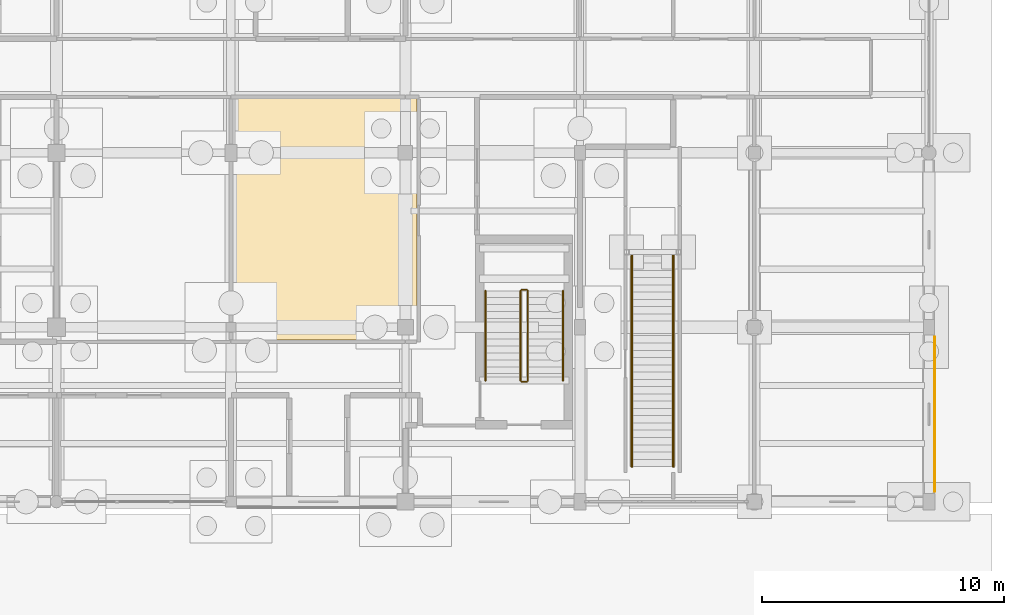
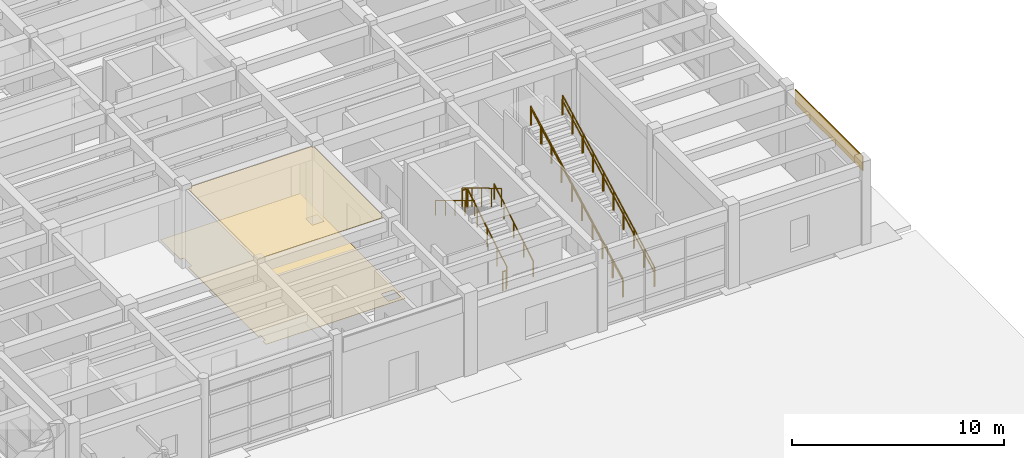
# One storey, part 141 of 143: 10 railings, 3 coverings.
"""IFC4 building model written with IfcOpenShell, lengths in metres."""

from ifc_helpers import new_model, si_unit, direction, frame, origin, origin_2d, place, context, subcontext, project, spatial, polyline, rectangle, circle, outline, extrude, material, layer, layer_set, type_object, element, save


model = new_model("IFC4")

# Units and contexts
model_context = context("Model", 3, precision=1e-05, world=origin(), true_north=direction((0.0, 1.0)))
body_context = subcontext(model_context, "Body", "Model", "MODEL_VIEW")
ifc_project = project(units=[si_unit("LENGTHUNIT", "METRE"), si_unit("AREAUNIT", "SQUARE_METRE"), si_unit("VOLUMEUNIT", "CUBIC_METRE"), si_unit("PLANEANGLEUNIT", "RADIAN"), si_unit("MASSUNIT", "GRAM", prefix="KILO")], contexts=[model_context])

# Site, building, storey
site_placement = place(None, origin())
site = spatial("IfcSite", under=ifc_project, at=site_placement, CompositionType="ELEMENT")
building_placement = place(site_placement, origin())
building = spatial("IfcBuilding", under=site, at=building_placement, Name="Steenspoor Specialist Clinic", CompositionType="ELEMENT")
storey_placement = place(building_placement, origin())
storey = spatial("IfcBuildingStorey", under=building, at=storey_placement, Name="L00", CompositionType="ELEMENT", Elevation=0.0)

# Coverings
ifc_material_1 = material(Name="Washable acoustic mineral ceiling board", Category="gypsum")
ifc_layer_1 = layer(ifc_material_1, 0.02490234375)
ifc_layer_set_1 = layer_set([ifc_layer_1], Name="Washable acoustic mineral ceiling board")
covering_type_1 = type_object("IfcCoveringType", Name="COV-CEIL-ACOUSTIC", PredefinedType="CEILING", material=ifc_layer_set_1)
covering_1_placement = place(storey_placement, frame((0.0, 0.0, 4.4951171875)))
element("IfcCovering", 1, at=covering_1_placement, inside=storey, type_object=covering_type_1, Name="Acoustic Clinical Ceiling 086", PredefinedType="CEILING", context=body_context, shape_type="SweptSolid", body=[
    extrude(outline(polyline([(132.465087890625, 79.18505859375), (132.6650390625, 79.18505859375), (132.6650390625, 79.304931640625), (139.284912109375, 79.304931640625), (139.284912109375, 79.235107421875), (139.35498046875, 79.235107421875), (139.35498046875, 72.68994140625), (139.260009765625, 72.68994140625), (139.260009765625, 72.544921875), (132.614990234375, 72.544921875), (132.614990234375, 72.56494140625), (132.465087890625, 72.56494140625), (132.465087890625, 79.18505859375)])), origin(), (0.0, 0.0, 1.0), 0.02490234375),
])
ifc_material_2 = material(Name="Glazed ceramic relief spandrel cladding", Category="masonry")
ifc_layer_2 = layer(ifc_material_2, 0.034912109375)
ifc_layer_set_2 = layer_set([ifc_layer_2], Name="Glazed ceramic relief spandrel cladding")
covering_type_2 = type_object("IfcCoveringType", Name="COV-CLAD-CERAMIC", PredefinedType="CLADDING", material=ifc_layer_set_2)
covering_2_placement = place(storey_placement, frame((161.449951171875, 68.762451171875, 3.68505859375), z_axis=(0.0, 0.0, 1.0), x_axis=(0.0, -1.0, 0.0)))
element("IfcCovering", 2, at=covering_2_placement, inside=storey, type_object=covering_type_2, Name="Spandrel Cladding 78", PredefinedType="CLADDING", context=body_context, shape_type="SweptSolid", body=[
    extrude(rectangle(XDim=6.405029296875, YDim=0.0400390625, at=origin_2d()), origin(), (0.0, 0.0, 1.0), 0.840087890625),
])
ifc_material_3 = material(Name="Seamless clinical vinyl and terrazzo flooring", Category="plastic")
ifc_layer_3 = layer(ifc_material_3, 0.02001953125)
ifc_layer_set_3 = layer_set([ifc_layer_3], Name="Seamless clinical vinyl and terrazzo flooring")
covering_type_3 = type_object("IfcCoveringType", Name="COV-FLOOR-VINYL", PredefinedType="FLOORING", material=ifc_layer_set_3)
covering_3_placement = place(storey_placement, origin())
element("IfcCovering", 3, at=covering_3_placement, inside=storey, type_object=covering_type_3, Name="Clinical Vinyl Flooring 122", PredefinedType="FLOORING", context=body_context, shape_type="SweptSolid", body=[
    extrude(outline(polyline([(132.465087890625, 71.81494140625), (132.465087890625, 72.135009765625), (132.614990234375, 72.135009765625), (132.614990234375, 72.56494140625), (132.465087890625, 72.56494140625), (132.465087890625, 79.18505859375), (132.6650390625, 79.18505859375), (132.6650390625, 79.9150390625), (132.465087890625, 79.9150390625), (132.465087890625, 81.784912109375), (140.0849609375, 81.784912109375), (140.0849609375, 71.81494140625), (132.465087890625, 71.81494140625)]), holes=[polyline([(139.93994140625, 72.010009765625), (139.93994140625, 72.68994140625), (139.260009765625, 72.68994140625), (139.260009765625, 72.010009765625), (139.93994140625, 72.010009765625)]), polyline([(139.9150390625, 79.235107421875), (139.9150390625, 79.864990234375), (139.284912109375, 79.864990234375), (139.284912109375, 79.235107421875), (139.9150390625, 79.235107421875)])]), origin(), (0.0, 0.0, 1.0), 0.02001953125),
])

# Railings
ifc_material_4 = material(Name="Painted architectural steel balustrade", Category="steel")
railing_type_1 = type_object("IfcRailingType", Name="RAIL-GUARD-1100", PredefinedType="GUARDRAIL", material=ifc_material_4)
railing_1_placement = place(storey_placement, frame((144.64990234375, 70.14990234375, 0.17138671875)))
element("IfcRailing", 4, at=railing_1_placement, inside=storey, type_object=railing_type_1, Name="L00 ST-V6B stair guard 1", PredefinedType="GUARDRAIL", context=body_context, shape_type="SweptSolid", body=[
    extrude(circle(Radius=0.02392578125, at=origin_2d()), frame((0.0, 0.0, 1.076171875), z_axis=(0.0, 0.856934400257, 0.515425487977), x_axis=(-1.0, 0.0, 0.0)), (0.0, 0.0, 1.0), 4.32373046875),
    extrude(circle(Radius=0.02099609375, at=origin_2d()), origin(), (0.0, 0.0, 1.0), 1.052001953125),
    extrude(circle(Radius=0.02099609375, at=origin_2d()), frame((0.0, 0.92626953125, 0.55712890625)), (0.0, 0.0, 1.0), 1.052001953125),
    extrude(circle(Radius=0.02099609375, at=origin_2d()), frame((0.0, 1.8525390625, 1.1142578125)), (0.0, 0.0, 1.0), 1.052001953125),
    extrude(circle(Radius=0.02099609375, at=origin_2d()), frame((0.0, 2.77880859375, 1.67138671875)), (0.0, 0.0, 1.0), 1.052001953125),
    extrude(circle(Radius=0.02099609375, at=origin_2d()), frame((0.0, 3.705078125, 2.228515625)), (0.0, 0.0, 1.0), 1.052001953125),
])
railing_2_placement = place(storey_placement, frame((144.60009765625, 73.905029296875, 2.39990234375)))
element("IfcRailing", 5, at=railing_2_placement, inside=storey, type_object=railing_type_1, Name="L00 ST-V6B stair guard 2", PredefinedType="GUARDRAIL", context=body_context, shape_type="SweptSolid", body=[
    extrude(circle(Radius=0.02392578125, at=origin_2d()), frame((0.0, 0.0, 1.076171875), z_axis=(-1.0, 0.0, 0.0), x_axis=(0.0, -1.0, 0.0)), (0.0, 0.0, 1.0), 0.2001953125),
    extrude(circle(Radius=0.02099609375, at=origin_2d()), origin(), (0.0, 0.0, 1.0), 1.052001953125),
    extrude(circle(Radius=0.02099609375, at=origin_2d()), frame((-0.2001953125, 0.0, 0.0)), (0.0, 0.0, 1.0), 1.052001953125),
])
railing_3_placement = place(storey_placement, frame((144.35009765625, 73.85498046875, 2.571533203125)))
element("IfcRailing", 6, at=railing_3_placement, inside=storey, type_object=railing_type_1, Name="L00 ST-V6B stair guard 3", PredefinedType="GUARDRAIL", context=body_context, shape_type="SweptSolid", body=[
    extrude(circle(Radius=0.02392578125, at=origin_2d()), frame((0.0, 0.0, 1.076171875), z_axis=(0.0, -0.856934400257, 0.515425487977), x_axis=(1.0, 0.0, 0.0)), (0.0, 0.0, 1.0), 4.32373046875),
    extrude(circle(Radius=0.02099609375, at=origin_2d()), origin(), (0.0, 0.0, 1.0), 1.052001953125),
    extrude(circle(Radius=0.02099609375, at=origin_2d()), frame((0.0, -0.92626953125, 0.55712890625)), (0.0, 0.0, 1.0), 1.052001953125),
    extrude(circle(Radius=0.02099609375, at=origin_2d()), frame((0.0, -1.8525390625, 1.1142578125)), (0.0, 0.0, 1.0), 1.052001953125),
    extrude(circle(Radius=0.02099609375, at=origin_2d()), frame((0.0, -2.77880859375, 1.67138671875)), (0.0, 0.0, 1.0), 1.052001953125),
    extrude(circle(Radius=0.02099609375, at=origin_2d()), frame((0.0, -3.705078125, 2.228515625)), (0.0, 0.0, 1.0), 1.052001953125),
])
railing_4_placement = place(storey_placement, frame((144.60009765625, 70.10009765625, 0.0)))
element("IfcRailing", 7, at=railing_4_placement, inside=storey, type_object=railing_type_1, Name="L00 ST-V6B stair guard 4", PredefinedType="GUARDRAIL", context=body_context, shape_type="SweptSolid", body=[
    extrude(circle(Radius=0.02392578125, at=origin_2d()), frame((0.0, 0.0, 1.076171875), z_axis=(-1.0, 0.0, 0.0), x_axis=(0.0, -1.0, 0.0)), (0.0, 0.0, 1.0), 0.2001953125),
    extrude(circle(Radius=0.02099609375, at=origin_2d()), origin(), (0.0, 0.0, 1.0), 1.052001953125),
    extrude(circle(Radius=0.02099609375, at=origin_2d()), frame((-0.2001953125, 0.0, 0.0)), (0.0, 0.0, 1.0), 1.052001953125),
])
for number, where, name in (
    (8, (148.925048828125, 66.60009765625, 0.159912109375), "ST-F04 Flight Guard L"),
    (9, (150.675048828125, 66.60009765625, 0.159912109375), "ST-F04 Flight Guard R"),
):
    element("IfcRailing", number, at=place(storey_placement, frame(where)), inside=storey, type_object=railing_type_1, Name=name, PredefinedType="GUARDRAIL", context=body_context, shape_type="SweptSolid", body=[
        extrude(circle(Radius=0.02392578125, at=origin_2d()), frame((0.0, 0.0, 1.09619140625), z_axis=(0.0, 0.882346086921, 0.470601086797), x_axis=(-1.0, 0.0, 0.0)), (0.0, 0.0, 1.0), 9.860107421875),
        extrude(circle(Radius=0.02099609375, at=origin_2d()), origin(), (0.0, 0.0, 1.0), 1.072021484375),
        extrude(circle(Radius=0.02099609375, at=origin_2d()), frame((0.0, 0.966552734375, 0.515625)), (0.0, 0.0, 1.0), 1.072021484375),
        extrude(circle(Radius=0.02099609375, at=origin_2d()), frame((0.0, 1.933349609375, 1.03125)), (0.0, 0.0, 1.0), 1.072021484375),
        extrude(circle(Radius=0.02099609375, at=origin_2d()), frame((0.0, 2.89990234375, 1.546630859375)), (0.0, 0.0, 1.0), 1.072021484375),
        extrude(circle(Radius=0.02099609375, at=origin_2d()), frame((0.0, 3.86669921875, 2.062255859375)), (0.0, 0.0, 1.0), 1.072021484375),
        extrude(circle(Radius=0.02099609375, at=origin_2d()), frame((0.0, 4.833251953125, 2.577880859375)), (0.0, 0.0, 1.0), 1.072021484375),
        extrude(circle(Radius=0.02099609375, at=origin_2d()), frame((0.0, 5.800048828125, 3.093505859375)), (0.0, 0.0, 1.0), 1.072021484375),
        extrude(circle(Radius=0.02099609375, at=origin_2d()), frame((0.0, 6.7666015625, 3.60888671875)), (0.0, 0.0, 1.0), 1.072021484375),
        extrude(circle(Radius=0.02099609375, at=origin_2d()), frame((0.0, 7.7333984375, 4.12451171875)), (0.0, 0.0, 1.0), 1.072021484375),
        extrude(circle(Radius=0.02099609375, at=origin_2d()), frame((0.0, 8.699951171875, 4.64013671875)), (0.0, 0.0, 1.0), 1.072021484375),
    ])
ifc_material_5 = material(Name="Brushed stainless steel clinical handrail", Category="steel")
railing_type_2 = type_object("IfcRailingType", Name="RAIL-HAND-900", PredefinedType="HANDRAIL", material=ifc_material_5)
railing_5_placement = place(storey_placement, frame((146.10009765625, 70.14990234375, 0.17138671875)))
element("IfcRailing", 10, at=railing_5_placement, inside=storey, type_object=railing_type_2, Name="L00 ST-V6B stair handrail 1", PredefinedType="HANDRAIL", context=body_context, shape_type="SweptSolid", body=[
    extrude(circle(Radius=0.02392578125, at=origin_2d()), frame((0.0, 0.0, 0.8759765625), z_axis=(0.0, 0.856934400257, 0.515425487977), x_axis=(-1.0, 0.0, 0.0)), (0.0, 0.0, 1.0), 4.32373046875),
    extrude(circle(Radius=0.02099609375, at=origin_2d()), origin(), (0.0, 0.0, 1.0), 0.851806640625),
    extrude(circle(Radius=0.02099609375, at=origin_2d()), frame((0.0, 0.92626953125, 0.55712890625)), (0.0, 0.0, 1.0), 0.851806640625),
    extrude(circle(Radius=0.02099609375, at=origin_2d()), frame((0.0, 1.8525390625, 1.1142578125)), (0.0, 0.0, 1.0), 0.851806640625),
    extrude(circle(Radius=0.02099609375, at=origin_2d()), frame((0.0, 2.77880859375, 1.67138671875)), (0.0, 0.0, 1.0), 0.851806640625),
    extrude(circle(Radius=0.02099609375, at=origin_2d()), frame((0.0, 3.705078125, 2.228515625)), (0.0, 0.0, 1.0), 0.851806640625),
])
railing_6_placement = place(storey_placement, frame((142.89990234375, 73.85498046875, 2.571533203125)))
element("IfcRailing", 11, at=railing_6_placement, inside=storey, type_object=railing_type_2, Name="L00 ST-V6B stair handrail 2", PredefinedType="HANDRAIL", context=body_context, shape_type="SweptSolid", body=[
    extrude(circle(Radius=0.02392578125, at=origin_2d()), frame((0.0, 0.0, 0.8759765625), z_axis=(0.0, -0.856934400257, 0.515425487977), x_axis=(1.0, 0.0, 0.0)), (0.0, 0.0, 1.0), 4.32373046875),
    extrude(circle(Radius=0.02099609375, at=origin_2d()), origin(), (0.0, 0.0, 1.0), 0.851806640625),
    extrude(circle(Radius=0.02099609375, at=origin_2d()), frame((0.0, -0.92626953125, 0.55712890625)), (0.0, 0.0, 1.0), 0.851806640625),
    extrude(circle(Radius=0.02099609375, at=origin_2d()), frame((0.0, -1.8525390625, 1.1142578125)), (0.0, 0.0, 1.0), 0.851806640625),
    extrude(circle(Radius=0.02099609375, at=origin_2d()), frame((0.0, -2.77880859375, 1.67138671875)), (0.0, 0.0, 1.0), 0.851806640625),
    extrude(circle(Radius=0.02099609375, at=origin_2d()), frame((0.0, -3.705078125, 2.228515625)), (0.0, 0.0, 1.0), 0.851806640625),
])
for number, where, name in (
    (12, (148.965087890625, 66.60009765625, 0.159912109375), "ST-F04 Handrail L"),
    (13, (150.635009765625, 66.60009765625, 0.159912109375), "ST-F04 Handrail R"),
):
    element("IfcRailing", number, at=place(storey_placement, frame(where)), inside=storey, type_object=railing_type_2, Name=name, PredefinedType="HANDRAIL", context=body_context, shape_type="SweptSolid", body=[
        extrude(circle(Radius=0.02392578125, at=origin_2d()), frame((0.0, 0.0, 0.8759765625), z_axis=(0.0, 0.882346086921, 0.470601086797), x_axis=(-1.0, 0.0, 0.0)), (0.0, 0.0, 1.0), 9.860107421875),
        extrude(circle(Radius=0.02099609375, at=origin_2d()), origin(), (0.0, 0.0, 1.0), 0.851806640625),
        extrude(circle(Radius=0.02099609375, at=origin_2d()), frame((0.0, 0.966552734375, 0.515625)), (0.0, 0.0, 1.0), 0.851806640625),
        extrude(circle(Radius=0.02099609375, at=origin_2d()), frame((0.0, 1.933349609375, 1.03125)), (0.0, 0.0, 1.0), 0.851806640625),
        extrude(circle(Radius=0.02099609375, at=origin_2d()), frame((0.0, 2.89990234375, 1.546630859375)), (0.0, 0.0, 1.0), 0.851806640625),
        extrude(circle(Radius=0.02099609375, at=origin_2d()), frame((0.0, 3.86669921875, 2.062255859375)), (0.0, 0.0, 1.0), 0.851806640625),
        extrude(circle(Radius=0.02099609375, at=origin_2d()), frame((0.0, 4.833251953125, 2.577880859375)), (0.0, 0.0, 1.0), 0.851806640625),
        extrude(circle(Radius=0.02099609375, at=origin_2d()), frame((0.0, 5.800048828125, 3.093505859375)), (0.0, 0.0, 1.0), 0.851806640625),
        extrude(circle(Radius=0.02099609375, at=origin_2d()), frame((0.0, 6.7666015625, 3.60888671875)), (0.0, 0.0, 1.0), 0.851806640625),
        extrude(circle(Radius=0.02099609375, at=origin_2d()), frame((0.0, 7.7333984375, 4.12451171875)), (0.0, 0.0, 1.0), 0.851806640625),
        extrude(circle(Radius=0.02099609375, at=origin_2d()), frame((0.0, 8.699951171875, 4.64013671875)), (0.0, 0.0, 1.0), 0.851806640625),
    ])

save(model, "model.ifc")
